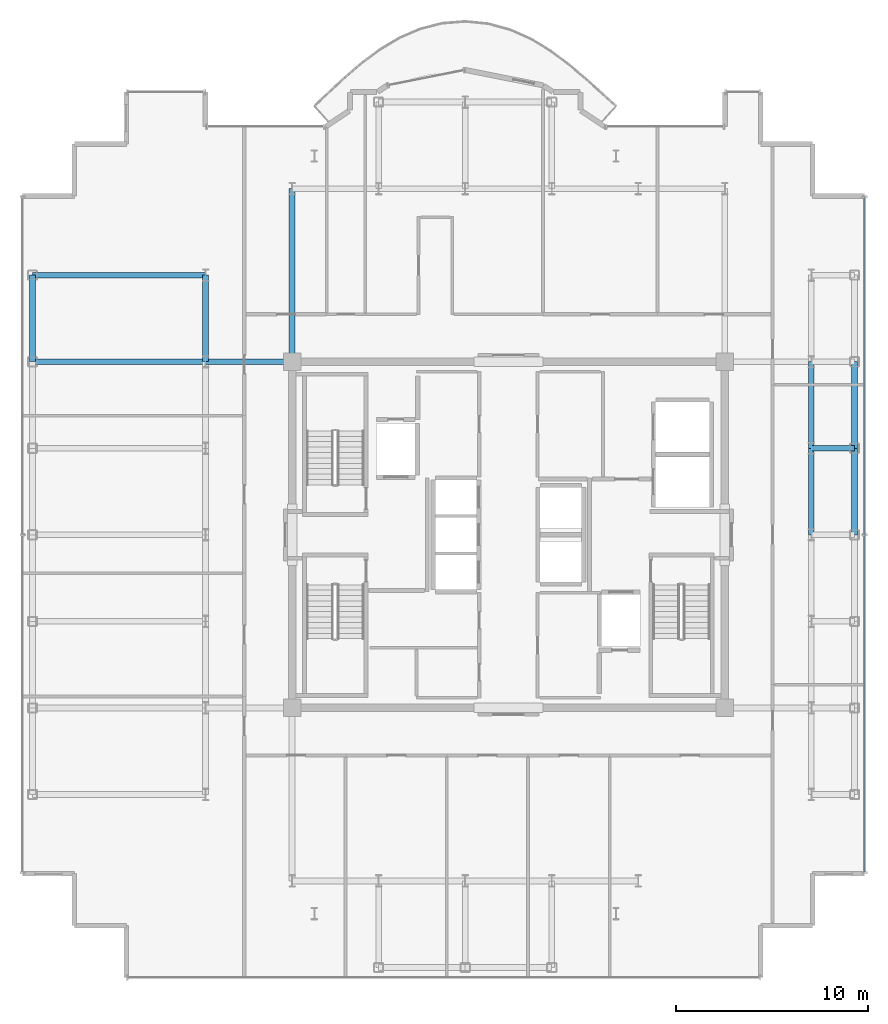
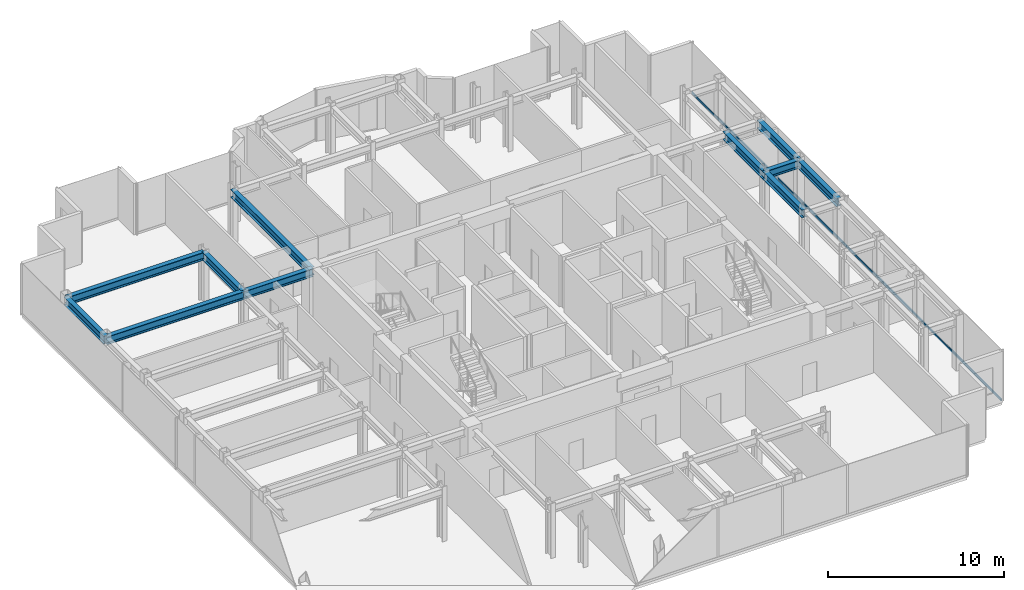
# One storey, part 8 of 18: 11 beams, 1 member, 1 element without a shape of its own.
"""IFC4 building model written with IfcOpenShell, lengths in metres."""

import ifcopenshell
import ifcopenshell.guid

model = None  # the IFC model being written
_history = None  # IfcOwnerHistory: only IFC2X3 demands one
_inside = {}  # id of a spatial element -> (the spatial element, [elements in it])
_under = {}  # id of a project, library or spatial element -> (it, [spatial elements below it])
_declared = {}  # id of a project -> (the project, [libraries it declares])
_typed = {}  # id of a type object -> (the type object, [elements of that type])
_made_of = {}  # id of a material, layer set ... -> (it, [elements and type objects made of it])


def new_model(schema):
    """Start an empty IFC model of exactly this schema.

    Asked for "IFC4X3", IfcOpenShell would pick the latest addendum, in which some entities
    have other attributes; the version numbers below select the first issue.
    IFC2X3 requires an IfcOwnerHistory on every rooted entity: one is made here for all.
    """
    global model, _history
    if schema == "IFC4X3":
        model = ifcopenshell.file(schema_version=(4, 3, 0, 0))
    else:
        model = ifcopenshell.file(schema=schema)
    _inside.clear()
    _under.clear()
    _declared.clear()
    _typed.clear()
    _made_of.clear()
    _history = None
    if model.schema == "IFC2X3":
        org = make("IfcOrganization", Name="unknown")
        user = make(
            "IfcPersonAndOrganization",
            ThePerson=make("IfcPerson", FamilyName="unknown"),
            TheOrganization=org,
        )
        app = make(
            "IfcApplication",
            ApplicationDeveloper=org,
            Version="unknown",
            ApplicationFullName="unknown",
            ApplicationIdentifier="unknown",
        )
        _history = make(
            "IfcOwnerHistory",
            OwningUser=user,
            OwningApplication=app,
            ChangeAction="ADDED",
            CreationDate=0,
        )
    return model


def make(cls, **values):
    """One entity of the class cls with the attributes given. An attribute that is None is left unset."""
    return model.create_entity(
        cls, **{name: value for name, value in values.items() if value is not None}
    )


def rooted(cls, **values):
    """An entity with a GlobalId (a new one), such as an element, a storey or a relation."""
    return make(cls, GlobalId=ifcopenshell.guid.new(), OwnerHistory=_history, **values)


def si_unit(unit_type, name, prefix=None):
    """IfcSIUnit, for example si_unit("LENGTHUNIT", "METRE", prefix="MILLI")."""
    return make("IfcSIUnit", UnitType=unit_type, Prefix=prefix, Name=name)


def assignment(units):
    """IfcUnitAssignment: the units of a project."""
    return None if units is None else make("IfcUnitAssignment", Units=units)


def point(xyz):
    """IfcCartesianPoint."""
    return None if xyz is None else make("IfcCartesianPoint", Coordinates=xyz)


def direction(xyz):
    """IfcDirection."""
    return None if xyz is None else make("IfcDirection", DirectionRatios=xyz)


def frame(location, z_axis=None, x_axis=None):
    """IfcAxis2Placement3D, a coordinate frame: its origin and axes. An axis left out is left unset."""
    return make(
        "IfcAxis2Placement3D",
        Location=point(location),
        Axis=direction(z_axis),
        RefDirection=direction(x_axis),
    )


def frame_2d(location, x_axis=None):
    """IfcAxis2Placement2D, a coordinate frame in the plane: its origin and x axis."""
    return make(
        "IfcAxis2Placement2D", Location=point(location), RefDirection=direction(x_axis)
    )


def origin():
    """The frame at (0, 0, 0) with its axes left unset."""
    return frame((0.0, 0.0, 0.0))


def origin_2d():
    """The frame at (0, 0) in the plane with its x axis left unset."""
    return frame_2d((0.0, 0.0))


def place(relative_to, where):
    """IfcLocalPlacement: puts the frame where relative to a parent placement (None: the world)."""
    return make(
        "IfcLocalPlacement", PlacementRelTo=relative_to, RelativePlacement=where
    )


def context(
    kind, dimensions, precision=None, world=None, true_north=None, identifier=None
):
    """IfcGeometricRepresentationContext, for example the 3D "Model" context."""
    return make(
        "IfcGeometricRepresentationContext",
        ContextIdentifier=identifier,
        ContextType=kind,
        CoordinateSpaceDimension=dimensions,
        Precision=precision,
        WorldCoordinateSystem=world,
        TrueNorth=true_north,
    )


def subcontext(parent, identifier, kind, view, scale=None):
    """IfcGeometricRepresentationSubContext, for example "Body" below "Model"."""
    return make(
        "IfcGeometricRepresentationSubContext",
        ContextIdentifier=identifier,
        ContextType=kind,
        ParentContext=parent,
        TargetScale=scale,
        TargetView=view,
    )


def project(units=None, contexts=None):
    """IfcProject with its units and contexts."""
    return rooted(
        "IfcProject",
        Name="project",
        RepresentationContexts=contexts,
        UnitsInContext=assignment(units),
    )


def spatial(cls, under=None, at=None, **own):
    """A site, building, storey or space (cls), placed at a placement, below another one or the project."""
    s = rooted(cls, ObjectPlacement=at, **own)
    if under is not None:
        _under.setdefault(under.id(), (under, []))[1].append(s)
    return s


def profile(cls, at=None, kind="AREA", **sizes):
    """A parametric profile (cls). Its sizes go by their IFC names, for example OverallWidth=200.0."""
    return make(cls, ProfileType=kind, Position=at, **sizes)


def hollow_rectangle(**sizes):
    """IfcRectangleHollowProfileDef."""
    return profile("IfcRectangleHollowProfileDef", **sizes)


def i_section(**sizes):
    """IfcIShapeProfileDef."""
    return profile("IfcIShapeProfileDef", **sizes)


def extrude(swept, where, along, depth):
    """IfcExtrudedAreaSolid: the profile swept, set in the frame where, extruded along a direction by depth."""
    return make(
        "IfcExtrudedAreaSolid",
        SweptArea=swept,
        Position=where,
        ExtrudedDirection=direction(along),
        Depth=depth,
    )


def shape(context_of_items, identifier, shape_type, items):
    """IfcShapeRepresentation: the items that make up one representation, for example the "Body"."""
    return make(
        "IfcShapeRepresentation",
        ContextOfItems=context_of_items,
        RepresentationIdentifier=identifier,
        RepresentationType=shape_type,
        Items=items,
    )


def source(mapping_origin, context_of_items, identifier, shape_type, items):
    """IfcRepresentationMap: a shape defined once, which mapped items show again and again."""
    return make(
        "IfcRepresentationMap",
        MappingOrigin=mapping_origin,
        MappedRepresentation=shape(context_of_items, identifier, shape_type, items),
    )


def transform(
    local_origin,
    x_axis=None,
    y_axis=None,
    z_axis=None,
    scale=None,
    scale2=None,
    scale3=None,
    uniform=True,
):
    """IfcCartesianTransformationOperator3D, or its non-uniform kind. x_axis, y_axis, z_axis: its Axis1, 2, 3."""
    if uniform:
        return make(
            "IfcCartesianTransformationOperator3D",
            Axis1=direction(x_axis),
            Axis2=direction(y_axis),
            LocalOrigin=point(local_origin),
            Scale=scale,
            Axis3=direction(z_axis),
        )
    return make(
        "IfcCartesianTransformationOperator3DnonUniform",
        Axis1=direction(x_axis),
        Axis2=direction(y_axis),
        LocalOrigin=point(local_origin),
        Scale=scale,
        Axis3=direction(z_axis),
        Scale2=scale2,
        Scale3=scale3,
    )


def mapped(mapping_source, mapping_target):
    """IfcMappedItem: shows the shape of a source again, moved by a transform."""
    return make(
        "IfcMappedItem", MappingSource=mapping_source, MappingTarget=mapping_target
    )


def material(Name=None, Category=None):
    """IfcMaterial."""
    return make("IfcMaterial", Name=Name, Category=Category)


def layer(
    of_material, thickness, ventilated=None, Name=None, Category=None, Priority=None
):
    """IfcMaterialLayer: one layer of a wall or slab, of a material (None: an air gap)."""
    return make(
        "IfcMaterialLayer",
        Material=of_material,
        LayerThickness=thickness,
        IsVentilated=ventilated,
        Name=Name,
        Category=Category,
        Priority=Priority,
    )


def layer_set(layers, Name=None):
    """IfcMaterialLayerSet."""
    return make("IfcMaterialLayerSet", MaterialLayers=layers, LayerSetName=Name)


def material_profile(
    of_material, cross_section, Name=None, Category=None, Priority=None
):
    """IfcMaterialProfile: a cross section and its material."""
    return make(
        "IfcMaterialProfile",
        Name=Name,
        Material=of_material,
        Profile=cross_section,
        Priority=Priority,
        Category=Category,
    )


def profile_set(profiles, Name=None, composite=None):
    """IfcMaterialProfileSet."""
    return make(
        "IfcMaterialProfileSet",
        Name=Name,
        MaterialProfiles=profiles,
        CompositeProfile=composite,
    )


def made_of(thing, what):
    """Note that an element or type object is made of a material, layer set ...; save() writes the relation."""
    if what is not None:
        _made_of.setdefault(what.id(), (what, []))[1].append(thing)
    return thing


def type_object(cls, material=None, **own):
    """A type object (cls), such as IfcWallType, which elements share."""
    return made_of(rooted(cls, **own), material)


def element(
    cls,
    number,
    at=None,
    inside=None,
    cuts=None,
    type_object=None,
    material=None,
    context=None,
    identifier="Body",
    shape_type=None,
    held_by="IfcProductDefinitionShape",
    body=None,
    shapes=None,
    **own,
):
    """One element of the class cls, such as IfcWall. Its Tag is "e" and its number.

    at: its placement. inside: the storey or other place that contains it. cuts: it is an
    opening in that element (IfcRelVoidsElement). A single representation is given by context,
    identifier, shape_type and body (its items); several are given by shapes. held_by: the class
    of the entity that holds the representations. save() writes the other relations.
    """
    e = rooted(cls, Tag="e%d" % number, ObjectPlacement=at, **own)
    if body is not None:
        shapes = [shape(context, identifier, shape_type, body)]
    if shapes is not None:
        e.Representation = make(held_by, Representations=shapes)
    if inside is not None:
        _inside.setdefault(inside.id(), (inside, []))[1].append(e)
    if cuts is not None:
        rooted(
            "IfcRelVoidsElement", RelatingBuildingElement=cuts, RelatedOpeningElement=e
        )
    if type_object is not None:
        _typed.setdefault(type_object.id(), (type_object, []))[1].append(e)
    return made_of(e, material)


def aggregate(whole, parts):
    """IfcRelAggregates: a whole, such as a stair, and the parts it consists of."""
    return rooted("IfcRelAggregates", RelatingObject=whole, RelatedObjects=parts)


def save(model, path):
    """Write the relations noted so far, then the file.

    IfcRelAggregates (storeys below a building ...), IfcRelContainedInSpatialStructure (elements
    in a storey), IfcRelDefinesByType, IfcRelAssociatesMaterial and IfcRelDeclares: one each for
    every whole, place, type object, material and project.
    """
    for whole, parts in _under.values():
        aggregate(whole, parts)
    for where, things in _inside.values():
        rooted(
            "IfcRelContainedInSpatialStructure",
            RelatedElements=things,
            RelatingStructure=where,
        )
    for kind, things in _typed.values():
        rooted("IfcRelDefinesByType", RelatedObjects=things, RelatingType=kind)
    for what, things in _made_of.values():
        rooted("IfcRelAssociatesMaterial", RelatedObjects=things, RelatingMaterial=what)
    for by, libraries in _declared.values():
        rooted("IfcRelDeclares", RelatingContext=by, RelatedDefinitions=libraries)
    model.write(path)


model = new_model("IFC4")

# Units and contexts
model_context = context("Model", 3, precision=1e-05, world=origin(), true_north=direction((0.0, 1.0)))
body_context = subcontext(model_context, "Body", "Model", "MODEL_VIEW")
ifc_project = project(units=[si_unit("LENGTHUNIT", "METRE"), si_unit("AREAUNIT", "SQUARE_METRE"), si_unit("VOLUMEUNIT", "CUBIC_METRE"), si_unit("PLANEANGLEUNIT", "RADIAN"), si_unit("MASSUNIT", "GRAM", prefix="KILO")], contexts=[model_context])

# Site, building, storey
site_placement = place(None, origin())
site = spatial("IfcSite", under=ifc_project, at=site_placement, CompositionType="ELEMENT")
building_placement = place(site_placement, origin())
building = spatial("IfcBuilding", under=site, at=building_placement, Name="Nefas-Gora Pilgrimage Tower", CompositionType="ELEMENT")
storey_placement = place(building_placement, frame((0.0, 0.0, 326.199951171875)))
storey = spatial("IfcBuildingStorey", under=building, at=storey_placement, Name="L82", CompositionType="ELEMENT", Elevation=326.199951171875)

# Beams
ifc_material_1 = material(Name="Steel S355", Category="steel")
ifc_material_profile_1 = material_profile(ifc_material_1, i_section(OverallWidth=0.300048828125, OverallDepth=0.550048828125, WebThickness=0.014892578125, FlangeThickness=0.029052734375, FilletRadius=0.027099609375, at=origin_2d()), Name="HEB 550")
ifc_profile_set_1 = profile_set([ifc_material_profile_1], Name="Steel S355")
beam_type_1 = type_object("IfcBeamType", Name="BM-SPN-HEB400", PredefinedType="SPANDREL", material=ifc_profile_set_1)
shared_shape_1 = source(origin(), body_context, "Body", "SweptSolid", [
    extrude(i_section(OverallWidth=0.300048828125, OverallDepth=0.550048828125, WebThickness=0.014892578125, FlangeThickness=0.029052734375, FilletRadius=0.027099609375, at=origin_2d()), origin(), (0.0, 0.0, 1.0), 4.5),
])
for number, where, z_axis, x_axis, name in (
    (1, (-24.75, 9.0, 3.275146484375), (0.0, 1.0, 0.0), (-1.0, 0.0, 0.0), "L82 SP-04 beam"),
    (2, (18.0, 0.0, 3.275146484375), (0.0, 1.0, 0.0), (-1.0, 0.0, 0.0), "L82 SP-04 beam"),
    (3, (18.0, 4.5, 3.275146484375), (0.0, 1.0, 0.0), (-1.0, 0.0, 0.0), "L82 SP-04 beam"),
):
    element("IfcBeam", number, at=place(storey_placement, frame(where, z_axis=z_axis, x_axis=x_axis)), inside=storey, type_object=beam_type_1, Name=name, PredefinedType="SPANDREL", context=body_context, shape_type="MappedRepresentation", body=[
        mapped(shared_shape_1, transform((0.0, 0.0, 0.0), x_axis=(1.0, 0.0, 0.0), y_axis=(0.0, 1.0, 0.0), z_axis=(0.0, 0.0, 1.0), scale=1.0)),
    ])
ifc_material_profile_2 = material_profile(ifc_material_1, i_section(OverallWidth=0.300048828125, OverallDepth=0.550048828125, WebThickness=0.014892578125, FlangeThickness=0.029052734375, FilletRadius=0.027099609375, at=origin_2d()), Name="HEB 550")
ifc_profile_set_2 = profile_set([ifc_material_profile_2], Name="Steel S355")
beam_type_2 = type_object("IfcBeamType", Name="BM-GIR-HEB550", PredefinedType="BEAM", material=ifc_profile_set_2)
shared_shape_2 = source(origin(), body_context, "Body", "SweptSolid", [
    extrude(i_section(OverallWidth=0.300048828125, OverallDepth=0.550048828125, WebThickness=0.014892578125, FlangeThickness=0.029052734375, FilletRadius=0.027099609375, at=origin_2d()), origin(), (0.0, 0.0, 1.0), 9.0),
])
for number, where, z_axis, x_axis, name in (
    (4, (-24.75, 9.0, 3.275146484375), (1.0, 0.0, 0.0), (0.0, 1.0, 0.0), "L82 G-05 beam"),
    (5, (-24.75, 13.5, 3.275146484375), (1.0, 0.0, 0.0), (0.0, 1.0, 0.0), "L82 G-05 beam"),
    (6, (-11.25, 9.0, 3.275146484375), (0.0, 1.0, 0.0), (-1.0, 0.0, 0.0), "L82 G-05 beam"),
):
    element("IfcBeam", number, at=place(storey_placement, frame(where, z_axis=z_axis, x_axis=x_axis)), inside=storey, type_object=beam_type_2, Name=name, PredefinedType="BEAM", context=body_context, shape_type="MappedRepresentation", body=[
        mapped(shared_shape_2, transform((0.0, 0.0, 0.0), x_axis=(1.0, 0.0, 0.0), y_axis=(0.0, 1.0, 0.0), z_axis=(0.0, 0.0, 1.0), scale=1.0)),
    ])
shared_shape_3 = source(origin(), body_context, "Body", "SweptSolid", [
    extrude(i_section(OverallWidth=0.300048828125, OverallDepth=0.550048828125, WebThickness=0.014892578125, FlangeThickness=0.029052734375, FilletRadius=0.027099609375, at=origin_2d()), origin(), (0.0, 0.0, 1.0), 4.5),
])
for number, where, z_axis, x_axis, name in (
    (7, (-15.75, 9.0, 3.275146484375), (0.0, 1.0, 0.0), (-1.0, 0.0, 0.0), "L82 G-05 beam"),
    (8, (-15.75, 9.0, 3.275146484375), (1.0, 0.0, 0.0), (0.0, 1.0, 0.0), "L82 G-05 beam"),
    (9, (15.75, 0.0, 3.275146484375), (0.0, 1.0, 0.0), (-1.0, 0.0, 0.0), "L82 G-05 beam"),
    (10, (15.75, 4.5, 3.275146484375), (0.0, 1.0, 0.0), (-1.0, 0.0, 0.0), "L82 G-05 beam"),
):
    element("IfcBeam", number, at=place(storey_placement, frame(where, z_axis=z_axis, x_axis=x_axis)), inside=storey, type_object=beam_type_2, Name=name, PredefinedType="BEAM", context=body_context, shape_type="MappedRepresentation", body=[
        mapped(shared_shape_3, transform((0.0, 0.0, 0.0), x_axis=(1.0, 0.0, 0.0), y_axis=(0.0, 1.0, 0.0), z_axis=(0.0, 0.0, 1.0), scale=1.0)),
    ])
shared_shape_4 = source(origin(), body_context, "Body", "SweptSolid", [
    extrude(i_section(OverallWidth=0.300048828125, OverallDepth=0.550048828125, WebThickness=0.014892578125, FlangeThickness=0.029052734375, FilletRadius=0.027099609375, at=origin_2d()), origin(), (0.0, 0.0, 1.0), 2.25),
])
beam_placement = place(storey_placement, frame((15.75, 4.5, 3.275146484375), z_axis=(1.0, 0.0, 0.0), x_axis=(0.0, 1.0, 0.0)))
element("IfcBeam", 11, at=beam_placement, inside=storey, type_object=beam_type_2, Name="L82 G-05 beam", PredefinedType="BEAM", context=body_context, shape_type="MappedRepresentation", body=[
    mapped(shared_shape_4, transform((0.0, 0.0, 0.0), x_axis=(1.0, 0.0, 0.0), y_axis=(0.0, 1.0, 0.0), z_axis=(0.0, 0.0, 1.0), scale=1.0)),
])

# Curtain wall, member
ifc_material_2 = material(Name="Dark ceramic-fritted solar-control aluminium-glass curtain wall", Category="aluminium")
ifc_layer = layer(ifc_material_2, 0.219970703125)
ifc_layer_set = layer_set([ifc_layer], Name="Dark ceramic-fritted solar-control aluminium-glass curtain wall")
curtain_wall_type = type_object("IfcCurtainWallType", Name="CW-SYS-4", PredefinedType="NOTDEFINED", material=ifc_layer_set)
curtain_wall_placement = place(storey_placement, origin())
curtain_wall = element("IfcCurtainWall", 12, at=curtain_wall_placement, inside=storey, type_object=curtain_wall_type, Name="L82 Unitised Curtain Wall CW4", PredefinedType="NOTDEFINED")
ifc_material_3 = material(Name="Anodised architectural aluminium", Category="aluminium")
ifc_material_profile_3 = material_profile(ifc_material_3, hollow_rectangle(XDim=0.080078125, YDim=0.159912109375, WallThickness=0.00439453125, InnerFilletRadius=0.00439453125, OuterFilletRadius=0.009033203125, at=origin_2d()), Name="ALU TRANSOM 80x160")
ifc_profile_set_3 = profile_set([ifc_material_profile_3], Name="Anodised architectural aluminium")
member_type = type_object("IfcMemberType", Name="CWM-TRN-4", PredefinedType="USERDEFINED", material=ifc_profile_set_3)
shared_shape_5 = source(origin(), body_context, "Body", "SweptSolid", [
    extrude(hollow_rectangle(XDim=0.080078125, YDim=0.159912109375, WallThickness=0.00439453125, InnerFilletRadius=0.00439453125, OuterFilletRadius=0.009033203125, at=origin_2d()), origin(), (0.0, 0.0, 1.0), 35.06005859375),
])
member_placement = place(storey_placement, frame((18.52001953125, -17.530029296875, 0.050048828125), z_axis=(0.0, 1.0, 0.0), x_axis=(-1.0, 0.0, 0.0)))
member = element("IfcMember", 13, at=member_placement, type_object=member_type, Name="CW4 Spandrel Transom", ObjectType="TRANSOM", PredefinedType="USERDEFINED", context=body_context, shape_type="MappedRepresentation", body=[
    mapped(shared_shape_5, transform((0.0, 0.0, 0.0), x_axis=(1.0, 0.0, 0.0), y_axis=(0.0, 1.0, 0.0), z_axis=(0.0, 0.0, 1.0), scale=1.0)),
])
aggregate(curtain_wall, [member])

save(model, "model.ifc")
